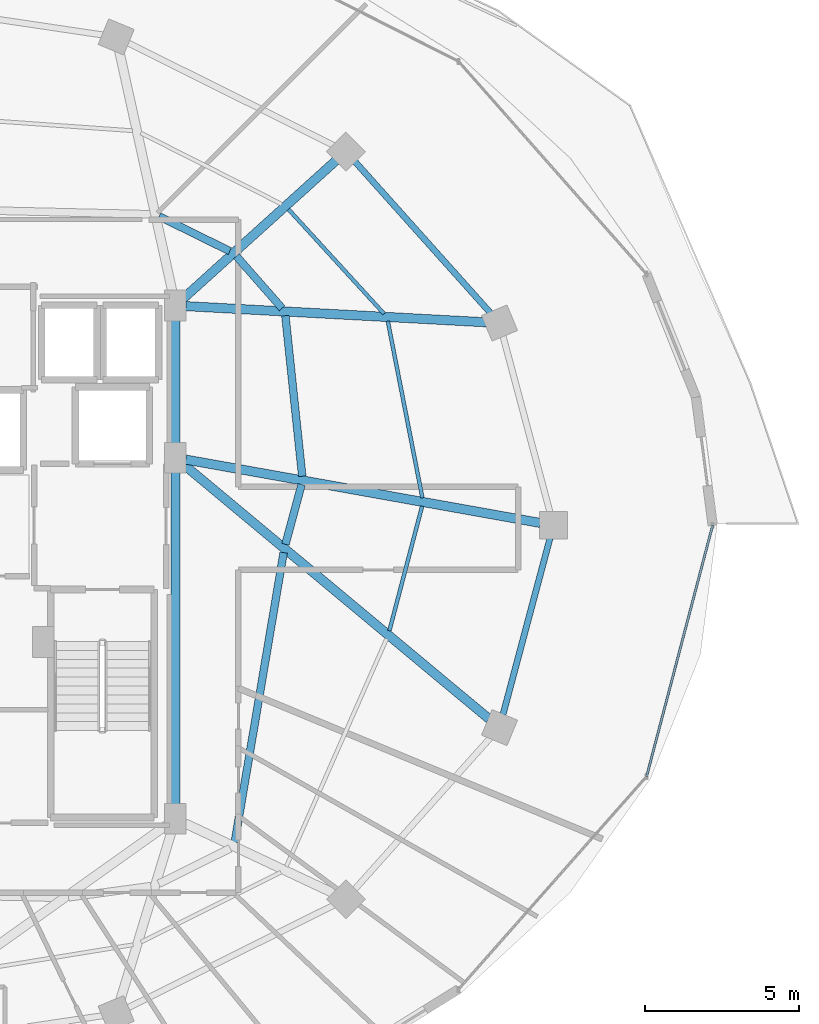
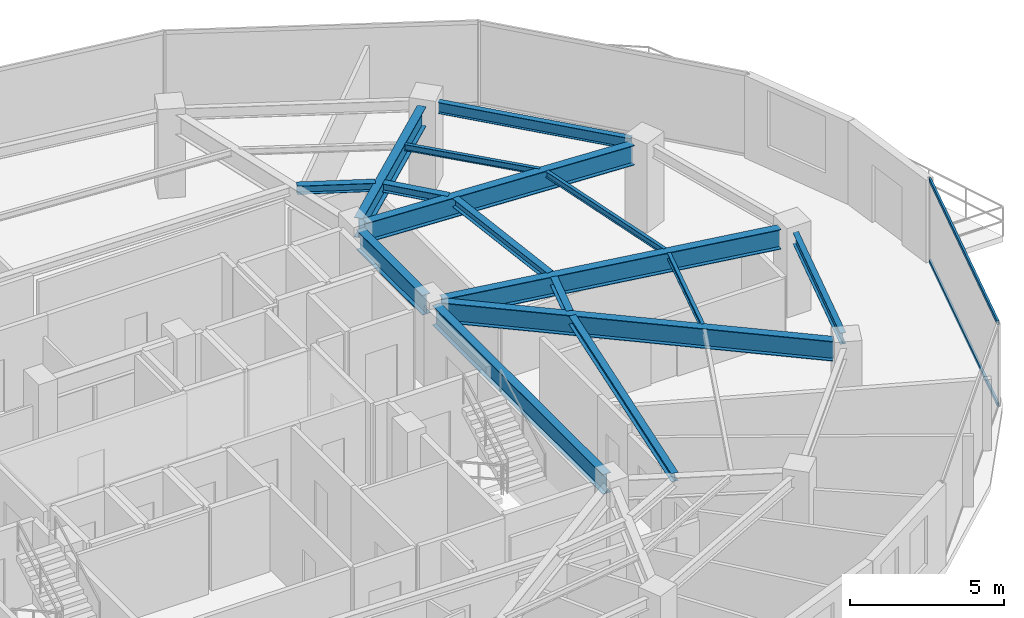
# One storey, part 14 of 32: 16 beams, 2 members, 1 element without a shape of its own.
"""IFC4 building model written with IfcOpenShell, lengths in metres."""

from ifc_helpers import new_model, si_unit, direction, frame, origin, origin_2d, place, context, subcontext, project, spatial, hollow_rectangle, i_section, extrude, material, material_profile, profile_set, type_object, element, aggregate, save


model = new_model("IFC4")

# Units and contexts
model_context = context("Model", 3, precision=1e-05, world=origin(), true_north=direction((0.0, 1.0)))
body_context = subcontext(model_context, "Body", "Model", "MODEL_VIEW")
ifc_project = project(units=[si_unit("LENGTHUNIT", "METRE"), si_unit("AREAUNIT", "SQUARE_METRE"), si_unit("VOLUMEUNIT", "CUBIC_METRE"), si_unit("PLANEANGLEUNIT", "RADIAN"), si_unit("MASSUNIT", "GRAM", prefix="KILO")], contexts=[model_context])

# Site, building, storey
site_placement = place(None, origin())
site = spatial("IfcSite", under=ifc_project, at=site_placement, CompositionType="ELEMENT")
building_placement = place(site_placement, origin())
building = spatial("IfcBuilding", under=site, at=building_placement, Name="Vorneva Point Tower", CompositionType="ELEMENT")
storey_placement = place(building_placement, frame((0.0, 0.0, 207.199951171875)))
storey = spatial("IfcBuildingStorey", under=building, at=storey_placement, Name="L56", CompositionType="ELEMENT", Elevation=207.199951171875)

# Beams
ifc_material_1 = material(Name="Steel S355", Category="steel")
ifc_material_profile_1 = material_profile(ifc_material_1, i_section(OverallWidth=0.300048828125, OverallDepth=0.7880859375, WebThickness=0.014404296875, FlangeThickness=0.02197265625, at=origin_2d()), Name="80Sh1")
ifc_profile_set_1 = profile_set([ifc_material_profile_1], Name="Steel S355")
beam_type_1 = type_object("IfcBeamType", Name="BM-GRD-80Sh1", PredefinedType="USERDEFINED", material=ifc_profile_set_1)
beam_1_placement = place(storey_placement, frame((60.618896484375, 26.0771484375, 2.89599609375), z_axis=(-0.984378602255, 0.176064668298, 0.0), x_axis=(-0.176064668298, -0.984378602255, 0.0)))
element("IfcBeam", 1, at=beam_1_placement, inside=storey, type_object=beam_type_1, Name="L56 Radial Primary Girder 01", ObjectType="GIRDER", PredefinedType="USERDEFINED", context=body_context, shape_type="SweptSolid", body=[
    extrude(i_section(OverallWidth=0.300048828125, OverallDepth=0.7880859375, WebThickness=0.014404296875, FlangeThickness=0.02197265625, at=origin_2d()), origin(), (0.0, 0.0, 1.0), 11.71728515625),
])
beam_2_placement = place(storey_placement, frame((58.85791015625, 32.605712890625, 2.89599609375), z_axis=(-0.998554028182, 0.053757351146, 0.0), x_axis=(-0.053757351146, -0.998554028182, 0.0)))
element("IfcBeam", 2, at=beam_2_placement, inside=storey, type_object=beam_type_1, Name="L56 Radial Primary Girder 02", ObjectType="GIRDER", PredefinedType="USERDEFINED", context=body_context, shape_type="SweptSolid", body=[
    extrude(i_section(OverallWidth=0.300048828125, OverallDepth=0.7880859375, WebThickness=0.014404296875, FlangeThickness=0.02197265625, at=origin_2d()), origin(), (0.0, 0.0, 1.0), 9.782470703125),
])
beam_3_placement = place(storey_placement, frame((53.973876953125, 37.86865234375, 2.89599609375), z_axis=(-0.742089778537, -0.670300500217, 0.0), x_axis=(0.670300500217, -0.742089778537, 0.0)))
element("IfcBeam", 3, at=beam_3_placement, inside=storey, type_object=beam_type_1, Name="L56 Radial Primary Girder 03", ObjectType="GIRDER", PredefinedType="USERDEFINED", context=body_context, shape_type="SweptSolid", body=[
    extrude(i_section(OverallWidth=0.300048828125, OverallDepth=0.7880859375, WebThickness=0.014404296875, FlangeThickness=0.02197265625, at=origin_2d()), origin(), (0.0, 0.0, 1.0), 6.699462890625),
])
beam_4_placement = place(storey_placement, frame((58.958740234375, 19.697998046875, 2.89599609375), z_axis=(-0.768417564517, 0.639948784311, 0.0), x_axis=(-0.639948784311, -0.768417564517, 0.0)))
element("IfcBeam", 4, at=beam_4_placement, inside=storey, type_object=beam_type_1, Name="L56 Radial Primary Girder 16", ObjectType="GIRDER", PredefinedType="USERDEFINED", context=body_context, shape_type="SweptSolid", body=[
    extrude(i_section(OverallWidth=0.300048828125, OverallDepth=0.7880859375, WebThickness=0.014404296875, FlangeThickness=0.02197265625, at=origin_2d()), origin(), (0.0, 0.0, 1.0), 12.945556640625),
])
beam_5_placement = place(storey_placement, frame((48.75, 16.77001953125, 2.89599609375), z_axis=(0.0, 1.0, 0.0), x_axis=(-1.0, 0.0, 0.0)))
element("IfcBeam", 5, at=beam_5_placement, inside=storey, type_object=beam_type_1, Name="L56 Core Tie Girder CT3", ObjectType="GIRDER", PredefinedType="USERDEFINED", context=body_context, shape_type="SweptSolid", body=[
    extrude(i_section(OverallWidth=0.300048828125, OverallDepth=0.7880859375, WebThickness=0.014404296875, FlangeThickness=0.02197265625, at=origin_2d()), origin(), (0.0, 0.0, 1.0), 11.10986328125),
])
beam_6_placement = place(storey_placement, frame((48.75, 28.52001953125, 2.89599609375), z_axis=(0.0, 1.0, 0.0), x_axis=(-1.0, 0.0, 0.0)))
element("IfcBeam", 6, at=beam_6_placement, inside=storey, type_object=beam_type_1, Name="L56 Core Tie Girder CT4", ObjectType="GIRDER", PredefinedType="USERDEFINED", context=body_context, shape_type="SweptSolid", body=[
    extrude(i_section(OverallWidth=0.300048828125, OverallDepth=0.7880859375, WebThickness=0.014404296875, FlangeThickness=0.02197265625, at=origin_2d()), origin(), (0.0, 0.0, 1.0), 4.31005859375),
])
ifc_material_profile_2 = material_profile(ifc_material_1, i_section(OverallWidth=0.1240234375, OverallDepth=0.248046875, WebThickness=0.0048828125, FlangeThickness=0.008056640625, at=origin_2d()), Name="25B1")
ifc_profile_set_2 = profile_set([ifc_material_profile_2], Name="Steel S355")
beam_type_2 = type_object("IfcBeamType", Name="BM-JST-25B1", PredefinedType="JOIST", material=ifc_profile_set_2)
beam_7_placement = place(storey_placement, frame((56.785888671875, 26.893310546875, 3.166015625), z_axis=(-0.191995903464, 0.98139572704, 0.0), x_axis=(-0.98139572704, -0.191995903464, 0.0)))
element("IfcBeam", 7, at=beam_7_placement, inside=storey, type_object=beam_type_2, Name="L56 Secondary Floor Beam 1.01", PredefinedType="JOIST", context=body_context, shape_type="SweptSolid", body=[
    extrude(i_section(OverallWidth=0.1240234375, OverallDepth=0.248046875, WebThickness=0.0048828125, FlangeThickness=0.008056640625, at=origin_2d()), origin(), (0.0, 0.0, 1.0), 5.859619140625),
])
beam_8_placement = place(storey_placement, frame((55.541259765625, 32.881103515625, 3.166015625), z_axis=(-0.675087002203, 0.7377381239, 0.0), x_axis=(-0.7377381239, -0.675087002203, 0.0)))
element("IfcBeam", 8, at=beam_8_placement, inside=storey, type_object=beam_type_2, Name="L56 Secondary Floor Beam 1.02", PredefinedType="JOIST", context=body_context, shape_type="SweptSolid", body=[
    extrude(i_section(OverallWidth=0.1240234375, OverallDepth=0.248046875, WebThickness=0.0048828125, FlangeThickness=0.008056640625, at=origin_2d()), origin(), (0.0, 0.0, 1.0), 4.61376953125),
])
beam_9_placement = place(storey_placement, frame((55.711181640625, 22.5654296875, 3.166015625), z_axis=(0.254098126007, 0.967178443908, 0.0), x_axis=(-0.967178443908, 0.254098126007, 0.0)))
element("IfcBeam", 9, at=beam_9_placement, inside=storey, type_object=beam_type_2, Name="L56 Secondary Floor Beam 1.16", PredefinedType="JOIST", context=body_context, shape_type="SweptSolid", body=[
    extrude(i_section(OverallWidth=0.1240234375, OverallDepth=0.248046875, WebThickness=0.0048828125, FlangeThickness=0.008056640625, at=origin_2d()), origin(), (0.0, 0.0, 1.0), 4.19677734375),
])
ifc_material_profile_3 = material_profile(ifc_material_1, i_section(OverallWidth=0.2490234375, OverallDepth=0.333984375, WebThickness=0.008056640625, FlangeThickness=0.010986328125, at=origin_2d()), Name="35Sh1")
ifc_profile_set_3 = profile_set([ifc_material_profile_3], Name="Steel S355")
beam_type_3 = type_object("IfcBeamType", Name="BM-SEC-35Sh1", PredefinedType="BEAM", material=ifc_profile_set_3)
beam_10_placement = place(storey_placement, frame((52.87646484375, 27.5966796875, 3.123046875), z_axis=(-0.104527524284, 0.994521994059, 0.0), x_axis=(-0.994521994059, -0.104527524284, 0.0)))
element("IfcBeam", 10, at=beam_10_placement, inside=storey, type_object=beam_type_3, Name="L56 Secondary Floor Beam 2.01", PredefinedType="BEAM", context=body_context, shape_type="SweptSolid", body=[
    extrude(i_section(OverallWidth=0.2490234375, OverallDepth=0.333984375, WebThickness=0.008056640625, FlangeThickness=0.010986328125, at=origin_2d()), origin(), (0.0, 0.0, 1.0), 5.2529296875),
])
beam_11_placement = place(storey_placement, frame((52.221923828125, 33.061767578125, 3.123046875), z_axis=(-0.659883178199, 0.751368212749, 0.0), x_axis=(-0.751368212749, -0.659883178199, 0.0)))
element("IfcBeam", 11, at=beam_11_placement, inside=storey, type_object=beam_type_3, Name="L56 Secondary Floor Beam 2.02", PredefinedType="BEAM", context=body_context, shape_type="SweptSolid", body=[
    extrude(i_section(OverallWidth=0.2490234375, OverallDepth=0.333984375, WebThickness=0.008056640625, FlangeThickness=0.010986328125, at=origin_2d()), origin(), (0.0, 0.0, 1.0), 2.2548828125),
])
beam_12_placement = place(storey_placement, frame((50.51904296875, 34.9208984375, 3.123046875), z_axis=(-0.896926742139, 0.442179170965, 0.0), x_axis=(-0.442179170965, -0.896926742139, 0.0)))
element("IfcBeam", 12, at=beam_12_placement, inside=storey, type_object=beam_type_3, Name="L56 Secondary Floor Beam 2.03", PredefinedType="BEAM", context=body_context, shape_type="SweptSolid", body=[
    extrude(i_section(OverallWidth=0.2490234375, OverallDepth=0.333984375, WebThickness=0.008056640625, FlangeThickness=0.010986328125, at=origin_2d()), origin(), (0.0, 0.0, 1.0), 2.564208984375),
])
beam_13_placement = place(storey_placement, frame((50.679443359375, 15.688720703125, 3.123046875), z_axis=(0.166527814046, 0.986036757504, 0.0), x_axis=(-0.986036757504, 0.166527814046, 0.0)))
element("IfcBeam", 13, at=beam_13_placement, inside=storey, type_object=beam_type_3, Name="L56 Secondary Floor Beam 2.15", PredefinedType="BEAM", context=body_context, shape_type="SweptSolid", body=[
    extrude(i_section(OverallWidth=0.2490234375, OverallDepth=0.333984375, WebThickness=0.008056640625, FlangeThickness=0.010986328125, at=origin_2d()), origin(), (0.0, 0.0, 1.0), 9.557373046875),
])
beam_14_placement = place(storey_placement, frame((52.330078125, 25.3818359375, 3.123046875), z_axis=(0.260634215409, 0.96543762396, 0.0), x_axis=(-0.96543762396, 0.260634215409, 0.0)))
element("IfcBeam", 14, at=beam_14_placement, inside=storey, type_object=beam_type_3, Name="L56 Secondary Floor Beam 2.16", PredefinedType="BEAM", context=body_context, shape_type="SweptSolid", body=[
    extrude(i_section(OverallWidth=0.2490234375, OverallDepth=0.333984375, WebThickness=0.008056640625, FlangeThickness=0.010986328125, at=origin_2d()), origin(), (0.0, 0.0, 1.0), 2.013916015625),
])
ifc_material_profile_4 = material_profile(ifc_material_1, i_section(OverallWidth=0.198974609375, OverallDepth=0.446044921875, WebThickness=0.008056640625, FlangeThickness=0.011962890625, at=origin_2d()), Name="45B1")
ifc_profile_set_4 = profile_set([ifc_material_profile_4], Name="Steel S355")
beam_type_4 = type_object("IfcBeamType", Name="BM-SPN-45B1", PredefinedType="SPANDREL", material=ifc_profile_set_4)
beam_15_placement = place(storey_placement, frame((59.005126953125, 32.90625, 3.067138671875), z_axis=(-0.66706970547, 0.744995307397, 0.0), x_axis=(-0.744995307397, -0.66706970547, 0.0)))
element("IfcBeam", 15, at=beam_15_placement, inside=storey, type_object=beam_type_4, Name="L56 Perimeter Spandrel Ring Beam 02", PredefinedType="SPANDREL", context=body_context, shape_type="SweptSolid", body=[
    extrude(i_section(OverallWidth=0.198974609375, OverallDepth=0.446044921875, WebThickness=0.008056640625, FlangeThickness=0.011962890625, at=origin_2d()), origin(), (0.0, 0.0, 1.0), 6.6201171875),
])
beam_16_placement = place(storey_placement, frame((59.407470703125, 19.838134765625, 3.067138671875), z_axis=(0.257578258003, 0.966257440336, 0.0), x_axis=(-0.966257440336, 0.257578258003, 0.0)))
element("IfcBeam", 16, at=beam_16_placement, inside=storey, type_object=beam_type_4, Name="L56 Perimeter Spandrel Ring Beam 16", PredefinedType="SPANDREL", context=body_context, shape_type="SweptSolid", body=[
    extrude(i_section(OverallWidth=0.198974609375, OverallDepth=0.446044921875, WebThickness=0.008056640625, FlangeThickness=0.011962890625, at=origin_2d()), origin(), (0.0, 0.0, 1.0), 5.94189453125),
])

# Curtain wall, members
ifc_material_2 = material(Name="Pale anodised aluminium", Category="aluminium")
curtain_wall_type = type_object("IfcCurtainWallType", Name="CW-RES-SYS", PredefinedType="NOTDEFINED", material=ifc_material_2)
curtain_wall_placement = place(storey_placement, origin())
curtain_wall = element("IfcCurtainWall", 17, at=curtain_wall_placement, inside=storey, type_object=curtain_wall_type, Name="L56 Unitised Curtain Wall CW-L56-R04", PredefinedType="NOTDEFINED")
ifc_material_profile_5 = material_profile(ifc_material_2, hollow_rectangle(XDim=0.074951171875, YDim=0.14990234375, WallThickness=0.00390625, at=origin_2d()), Name="AL-TRN 150x75x4")
ifc_profile_set_5 = profile_set([ifc_material_profile_5], Name="Pale anodised aluminium")
member_type = type_object("IfcMemberType", Name="CW-TRN-150", PredefinedType="USERDEFINED", material=ifc_profile_set_5)
member_1_placement = place(storey_placement, frame((64.0810546875, 17.82958984375, 0.02001953125), z_axis=(0.254362431281, 0.967108966742, 0.0), x_axis=(-0.967108966742, 0.254362431281, 0.0)))
member_1 = element("IfcMember", 18, at=member_1_placement, type_object=member_type, Name="CW-L56-R04 Transom 02.1", ObjectType="TRANSOM", PredefinedType="USERDEFINED", context=body_context, shape_type="SweptSolid", body=[
    extrude(hollow_rectangle(XDim=0.074951171875, YDim=0.14990234375, WallThickness=0.00390625, at=origin_2d()), origin(), (0.0, 0.0, 1.0), 8.4482421875),
])
member_2_placement = place(storey_placement, frame((64.0810546875, 17.82958984375, 3.27001953125), z_axis=(0.254362431281, 0.967108966742, 0.0), x_axis=(-0.967108966742, 0.254362431281, 0.0)))
member_2 = element("IfcMember", 19, at=member_2_placement, type_object=member_type, Name="CW-L56-R04 Transom 02.2", ObjectType="TRANSOM", PredefinedType="USERDEFINED", context=body_context, shape_type="SweptSolid", body=[
    extrude(hollow_rectangle(XDim=0.074951171875, YDim=0.14990234375, WallThickness=0.00390625, at=origin_2d()), origin(), (0.0, 0.0, 1.0), 8.4482421875),
])
aggregate(curtain_wall, [member_1, member_2])

save(model, "model.ifc")
